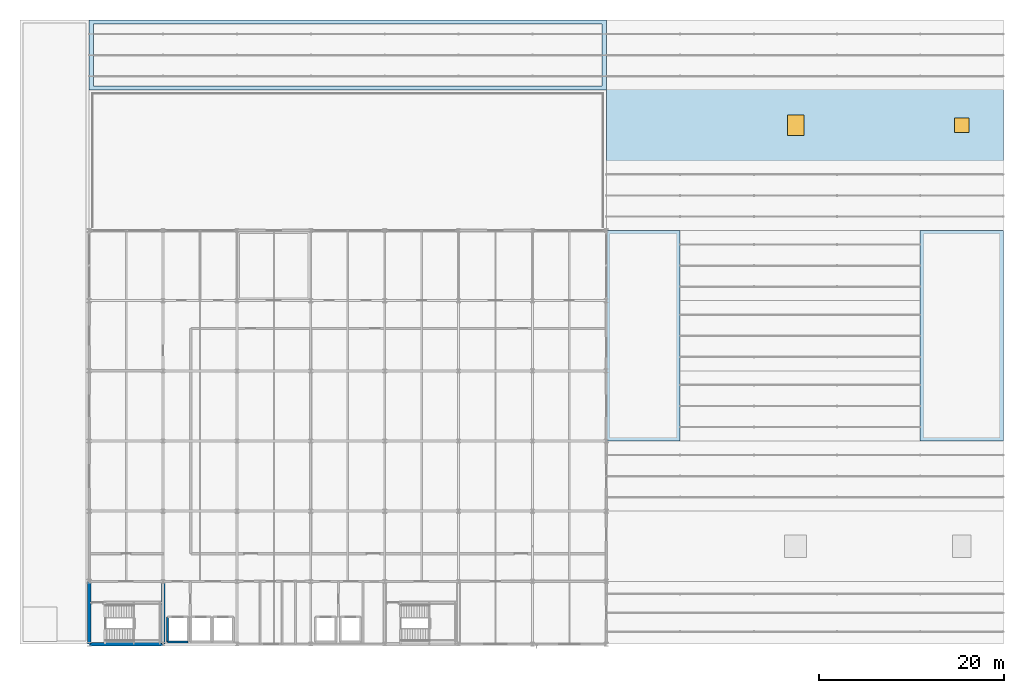
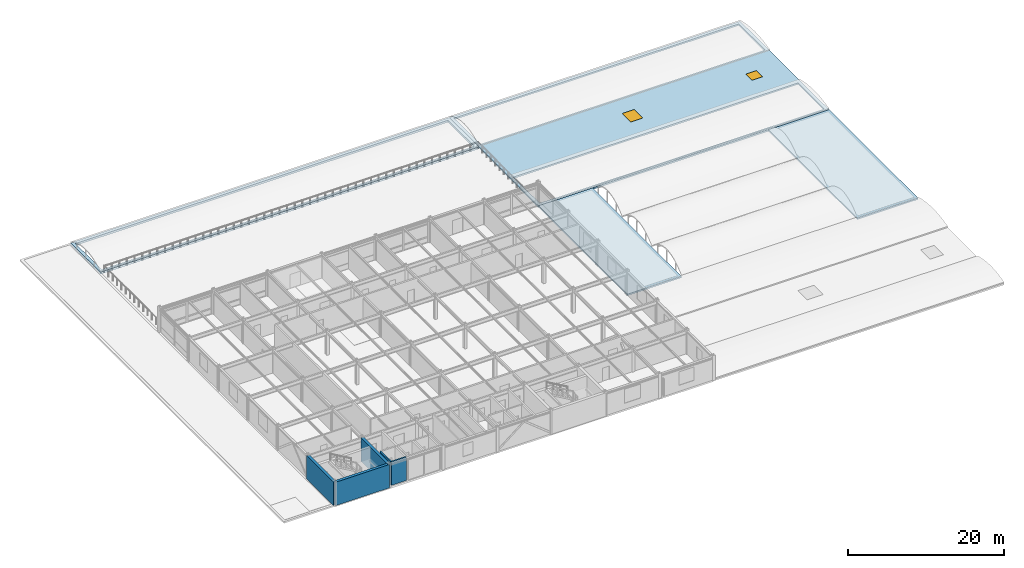
"""IFC4 building model written with IfcOpenShell, lengths in metres."""

from ifc_helpers import new_model, si_unit, direction, frame, frame_2d, origin, origin_2d, place, context, subcontext, project, spatial, polyline, rectangle, outline, extrude, material, layer, layer_set, type_object, element, fill, save


model = new_model("IFC4")

# Units and contexts
model_context = context("Model", 3, precision=1e-05, world=origin(), true_north=direction((0.0, 1.0)))
body_context = subcontext(model_context, "Body", "Model", "MODEL_VIEW")
ifc_project = project(units=[si_unit("LENGTHUNIT", "METRE"), si_unit("AREAUNIT", "SQUARE_METRE"), si_unit("VOLUMEUNIT", "CUBIC_METRE"), si_unit("PLANEANGLEUNIT", "RADIAN"), si_unit("MASSUNIT", "GRAM", prefix="KILO")], contexts=[model_context])

# Site, building, storey
site_placement = place(None, origin())
site = spatial("IfcSite", under=ifc_project, at=site_placement, CompositionType="ELEMENT")
building_placement = place(site_placement, origin())
building = spatial("IfcBuilding", under=site, at=building_placement, Name="Shalkamar Park Central Library", CompositionType="ELEMENT")
storey_1_placement = place(building_placement, frame((0.0, 0.0, 20.39990234375)))
storey_1 = spatial("IfcBuildingStorey", under=building, at=storey_1_placement, Name="L05", CompositionType="ELEMENT", Elevation=20.39990234375)

# Slabs
ifc_material_1 = material(Name="Concrete C35/45", Category="concrete")
ifc_layer_1 = layer(ifc_material_1, 0.22998046875)
ifc_layer_set_1 = layer_set([ifc_layer_1], Name="Concrete C35/45")
slab_type_1 = type_object("IfcSlabType", Name="Canopy Roof Slab 120", PredefinedType="ROOF", material=ifc_layer_set_1)
slab_1_placement = place(storey_1_placement, frame((0.0, 0.0, -0.22998046875)))
element("IfcSlab", 1, at=slab_1_placement, inside=storey_1, type_object=slab_type_1, Name="Flat Roof Slab RF-L04-CM", PredefinedType="ROOF", context=body_context, shape_type="SweptSolid", body=[
    extrude(outline(polyline([(221.0, 270.39990234375), (229.0, 270.39990234375), (229.0, 293.199951171875), (221.0, 293.199951171875), (221.0, 270.39990234375)])), origin(), (0.0, 0.0, 1.0), 0.22998046875),
])
slab_2_placement = place(storey_1_placement, frame((0.0, 0.0, -0.22998046875)))
element("IfcSlab", 2, at=slab_2_placement, inside=storey_1, type_object=slab_type_1, Name="Flat Roof Slab RF-L04-EE", PredefinedType="ROOF", context=body_context, shape_type="SweptSolid", body=[
    extrude(outline(polyline([(255.0, 270.39990234375), (264.0, 270.39990234375), (264.0, 293.199951171875), (255.0, 293.199951171875), (255.0, 270.39990234375)])), origin(), (0.0, 0.0, 1.0), 0.22998046875),
])

# Slab, openings
ifc_layer_2 = layer(ifc_material_1, 0.25)
ifc_layer_set_2 = layer_set([ifc_layer_2], Name="Concrete C35/45")
slab_type_2 = type_object("IfcSlabType", Name="Flat Roof Slab 140", PredefinedType="ROOF", material=ifc_layer_set_2)
slab_3_placement = place(storey_1_placement, frame((0.0, 0.0, -0.25)))
slab_3 = element("IfcSlab", 3, at=slab_3_placement, inside=storey_1, type_object=slab_type_2, Name="Flat Roof Slab RF-L04-EN", PredefinedType="ROOF", context=body_context, shape_type="SweptSolid", body=[
    extrude(outline(polyline([(221.0, 293.199951171875), (264.0, 293.199951171875), (264.0, 316.0), (221.0, 316.0), (221.0, 293.199951171875)]), holes=[polyline([(221.449951171875, 293.64990234375), (263.550048828125, 293.64990234375), (263.550048828125, 300.35009765625), (221.449951171875, 300.35009765625), (221.449951171875, 293.64990234375)]), polyline([(221.449951171875, 308.85009765625), (263.550048828125, 308.85009765625), (263.550048828125, 315.550048828125), (221.449951171875, 315.550048828125), (221.449951171875, 308.85009765625)])]), origin(), (0.0, 0.0, 1.0), 0.25),
])
opening_1_placement = place(slab_3_placement, frame((241.5, 304.60009765625, -0.010009765625)))
opening_1 = element("IfcOpeningElement", 4, at=opening_1_placement, cuts=slab_3, Name="Opening SK-03", PredefinedType="OPENING", context=body_context, shape_type="SweptSolid", body=[
    extrude(rectangle(XDim=1.800048828125, YDim=2.199951171875, at=origin_2d()), origin(), (0.0, 0.0, 1.0), 0.27001953125),
])
opening_2_placement = place(slab_3_placement, frame((259.5, 304.60009765625, -0.010009765625)))
opening_2 = element("IfcOpeningElement", 5, at=opening_2_placement, cuts=slab_3, Name="Opening SK-04", PredefinedType="OPENING", context=body_context, shape_type="SweptSolid", body=[
    extrude(rectangle(XDim=1.60009765625, YDim=1.60009765625, at=origin_2d()), origin(), (0.0, 0.0, 1.0), 0.27001953125),
])

# Storey
storey_2_placement = place(building_placement, frame((0.0, 0.0, 15.60009765625)))
storey_2 = spatial("IfcBuildingStorey", under=building, at=storey_2_placement, Name="L04", CompositionType="ELEMENT", Elevation=15.60009765625)

# Window
ifc_material_2 = material(Name="Thermally broken aluminium and triple low-e glass", Category="glass")
window_type_1 = type_object("IfcWindowType", Name="Roof Skylight 1600x1600", PartitioningType="SINGLE_PANEL", PredefinedType="SKYLIGHT", material=ifc_material_2)
window_1_placement = place(opening_2_placement, frame((0.0, 0.0, 0.2099609375)))
window_1 = element("IfcWindow", 6, at=window_1_placement, inside=storey_2, type_object=window_type_1, Name="Roof Skylight SK-L04-10", OverallHeight=1.60009765625, OverallWidth=1.60009765625, PartitioningType="SINGLE_PANEL", PredefinedType="SKYLIGHT", context=body_context, shape_type="SweptSolid", body=[
    extrude(rectangle(XDim=1.60009765625, YDim=1.60009765625, at=origin_2d()), origin(), (0.0, 0.0, 1.0), 0.050048828125),
])

fill(opening_2, window_1)

window_type_2 = type_object("IfcWindowType", Name="Roof Skylight 1800x2200", PartitioningType="SINGLE_PANEL", PredefinedType="SKYLIGHT", material=ifc_material_2)
window_2_placement = place(opening_1_placement, frame((0.0, 0.0, 0.2099609375)))
window_2 = element("IfcWindow", 7, at=window_2_placement, inside=storey_2, type_object=window_type_2, Name="Roof Skylight SK-L04-09", OverallHeight=2.199951171875, OverallWidth=1.800048828125, PartitioningType="SINGLE_PANEL", PredefinedType="SKYLIGHT", context=body_context, shape_type="SweptSolid", body=[
    extrude(rectangle(XDim=1.800048828125, YDim=2.199951171875, at=origin_2d()), origin(), (0.0, 0.0, 1.0), 0.050048828125),
])

fill(opening_1, window_2)

# Slab
ifc_layer_3 = layer(ifc_material_1, 0.320068359375)
ifc_layer_set_3 = layer_set([ifc_layer_3], Name="Concrete C35/45")
slab_type_3 = type_object("IfcSlabType", Name="Heavy Insulated Roof Slab 320", PredefinedType="ROOF", material=ifc_layer_set_3)
slab_4_placement = place(storey_1_placement, frame((0.0, 0.0, -0.31982421875)))
element("IfcSlab", 8, at=slab_4_placement, inside=storey_1, type_object=slab_type_3, Name="Flat Roof Slab RF-L04-NN", PredefinedType="ROOF", context=body_context, shape_type="SweptSolid", body=[
    extrude(outline(polyline([(165.0, 308.39990234375), (221.0, 308.39990234375), (221.0, 316.0), (165.0, 316.0), (165.0, 308.39990234375)]), holes=[polyline([(165.449951171875, 308.85009765625), (220.550048828125, 308.85009765625), (220.550048828125, 315.550048828125), (165.449951171875, 315.550048828125), (165.449951171875, 308.85009765625)])]), origin(), (0.0, 0.0, 1.0), 0.31982421875),
])

# Walls
ifc_material_3 = material(Name="Concrete C40/50", Category="concrete")
ifc_layer_4 = layer(ifc_material_3, 0.219970703125)
ifc_layer_set_4 = layer_set([ifc_layer_4], Name="Concrete C40/50")
wall_type_1 = type_object("IfcWallType", Name="Lift Hoistway Shear Wall 220", PredefinedType="SHEAR", material=ifc_layer_set_4)
wall_1_placement = place(storey_1_placement, frame((173.5, 248.64990234375, 0.0), z_axis=(0.0, 0.0, 1.0), x_axis=(1.0, 0.0, 0.0)))
element("IfcWall", 9, at=wall_1_placement, inside=storey_1, type_object=wall_type_1, Name="Lift FFL-01 Hoistway South Wall (L05)", PredefinedType="SHEAR", context=body_context, shape_type="SweptSolid", body=[
    extrude(rectangle(XDim=2.199951171875, YDim=0.219970703125, at=frame_2d((1.10009765625, 0.0))), origin(), (0.0, 0.0, 1.0), 3.66015625),
])
wall_2_placement = place(storey_1_placement, frame((173.5, 248.64990234375, 0.0), z_axis=(0.0, 0.0, 1.0), x_axis=(0.0, 1.0, 0.0)))
element("IfcWall", 10, at=wall_2_placement, inside=storey_1, type_object=wall_type_1, Name="Lift FFL-01 Hoistway West Wall (L05)", PredefinedType="SHEAR", context=body_context, shape_type="SweptSolid", body=[
    extrude(rectangle(XDim=2.7001953125, YDim=0.219970703125, at=frame_2d((1.35009765625, 0.0))), origin(), (0.0, 0.0, 1.0), 3.66015625),
])
ifc_layer_5 = layer(ifc_material_3, 0.39990234375)
ifc_layer_set_5 = layer_set([ifc_layer_5], Name="Concrete C40/50")
wall_type_2 = type_object("IfcWallType", Name="Tower Core Shear Wall 400", PredefinedType="SHEAR", material=ifc_layer_set_5)
wall_3_placement = place(storey_1_placement, frame((165.0, 248.39990234375, 0.0), z_axis=(0.0, 0.0, 1.0), x_axis=(1.0, 0.0, 0.0)))
element("IfcWall", 11, at=wall_3_placement, inside=storey_1, type_object=wall_type_2, Name="CORE-T1 South Shear Wall (L05)", PredefinedType="SHEAR", context=body_context, shape_type="SweptSolid", body=[
    extrude(rectangle(XDim=8.0, YDim=0.39990234375, at=frame_2d((4.0, 0.0))), origin(), (0.0, 0.0, 1.0), 3.66015625),
])
for number, where, z_axis, x_axis, name in (
    (12, (165.0, 248.39990234375, 0.0), (0.0, 0.0, 1.0), (0.0, 1.0, 0.0), "CORE-T1 West Shear Wall (L05)"),
    (13, (173.0, 248.39990234375, 0.0), (0.0, 0.0, 1.0), (0.0, 1.0, 0.0), "CORE-T1 East Shear Wall (L05)"),
):
    element("IfcWall", number, at=place(storey_1_placement, frame(where, z_axis=z_axis, x_axis=x_axis)), inside=storey_1, type_object=wall_type_2, Name=name, PredefinedType="SHEAR", context=body_context, shape_type="SweptSolid", body=[
        extrude(rectangle(XDim=6.800048828125, YDim=0.39990234375, at=frame_2d((3.39990234375, 0.0))), origin(), (0.0, 0.0, 1.0), 3.66015625),
    ])

save(model, "model.ifc")
